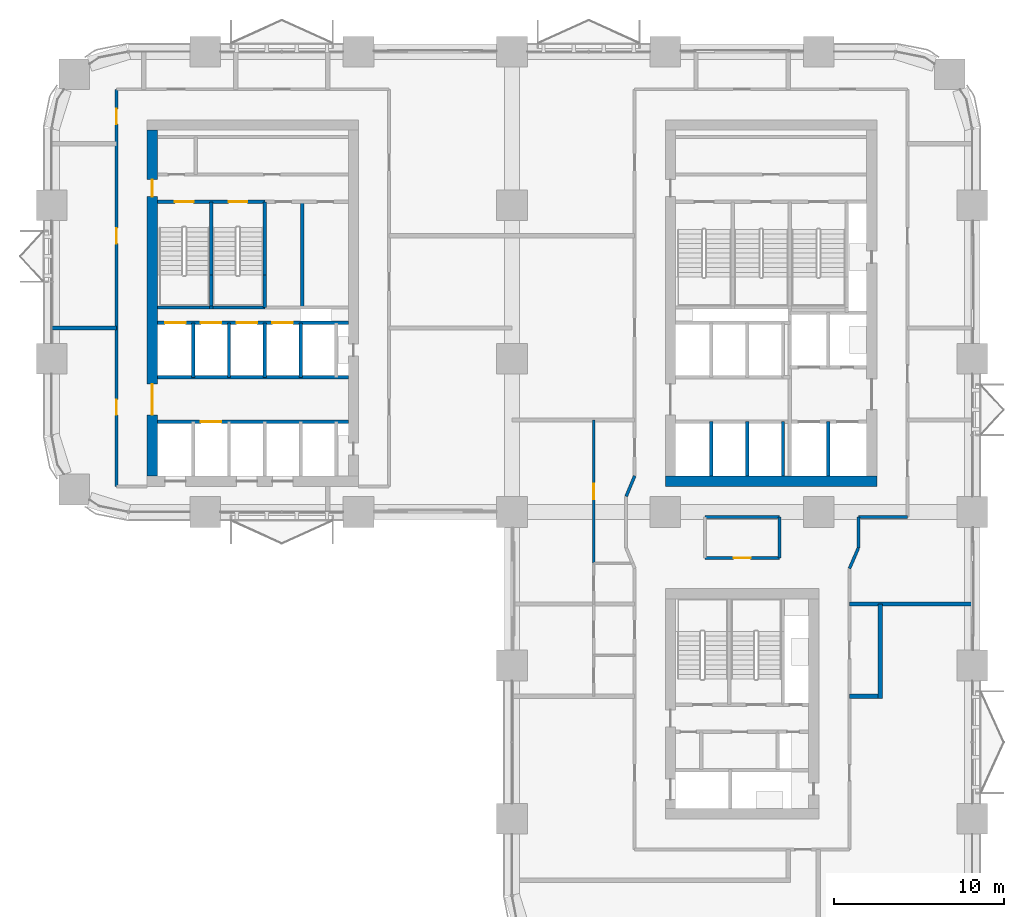
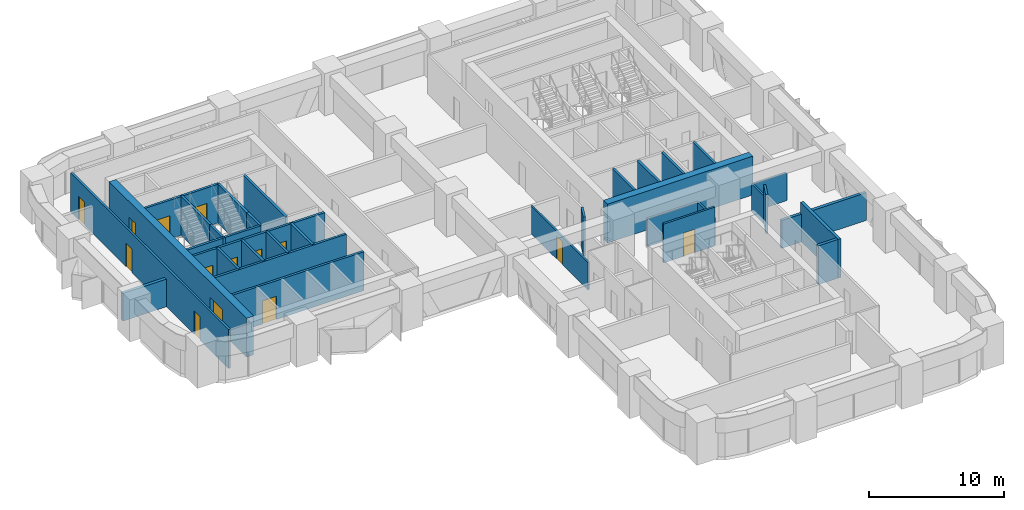
# One storey, part 13 of 18: 35 walls, 14 doors, 14 openings.
"""IFC4 building model written with IfcOpenShell, lengths in metres."""

from ifc_helpers import new_model, si_unit, direction, frame, frame_2d, origin, place, context, subcontext, project, spatial, rectangle, extrude, material, layer, layer_set, type_object, element, fill, save


model = new_model("IFC4")

# Units and contexts
model_context = context("Model", 3, precision=1e-05, world=origin(), true_north=direction((0.0, 1.0)))
body_context = subcontext(model_context, "Body", "Model", "MODEL_VIEW")
ifc_project = project(units=[si_unit("LENGTHUNIT", "METRE"), si_unit("AREAUNIT", "SQUARE_METRE"), si_unit("VOLUMEUNIT", "CUBIC_METRE"), si_unit("PLANEANGLEUNIT", "RADIAN"), si_unit("MASSUNIT", "GRAM", prefix="KILO")], contexts=[model_context])

# Site, building, storey
site_placement = place(None, origin())
site = spatial("IfcSite", under=ifc_project, at=site_placement, CompositionType="ELEMENT")
building_placement = place(site_placement, origin())
building = spatial("IfcBuilding", under=site, at=building_placement, Name="Tessera Arch", CompositionType="ELEMENT")
storey_placement = place(building_placement, frame((0.0, 0.0, 89.199951171875)))
storey = spatial("IfcBuildingStorey", under=building, at=storey_placement, Name="L20", CompositionType="ELEMENT", Elevation=89.199951171875)

# Walls
ifc_material_1 = material(Name="Gypsum board on steel stud", Category="steel")
ifc_layer_1 = layer(ifc_material_1, 0.125)
ifc_layer_set_1 = layer_set([ifc_layer_1], Name="Core partition 125 EI 60")
wall_type_1 = type_object("IfcWallType", Name="Core partition 125 EI 60", PredefinedType="PARTITIONING", material=ifc_layer_set_1)
wall_1_placement = place(storey_placement, frame((14.705078125, 39.0, 0.0), z_axis=(0.0, 0.0, 1.0), x_axis=(0.0, 1.0, 0.0)))
element("IfcWall", 1, at=wall_1_placement, inside=storey, type_object=wall_type_1, Name="L20 C2 partition wall 14", PredefinedType="PARTITIONING", context=body_context, shape_type="SweptSolid", body=[
    extrude(rectangle(XDim=6.199951171875, YDim=0.199951171875, at=frame_2d((3.10009765625, 0.0))), origin(), (0.0, 0.0, 1.0), 3.5),
])
ifc_material_2 = material(Name="Concrete C70/85", Category="concrete")
ifc_layer_2 = layer(ifc_material_2, 0.60009765625)
ifc_layer_set_2 = layer_set([ifc_layer_2], Name="Core shell wall 600 C70-85")
wall_type_2 = type_object("IfcWallType", Name="Core shell wall 600 C70-85", PredefinedType="SHEAR", material=ifc_layer_set_2)
wall_2_placement = place(storey_placement, frame((36.0, 28.800048828125, 0.0), z_axis=(0.0, 0.0, 1.0), x_axis=(1.0, 0.0, 0.0)))
element("IfcWall", 2, at=wall_2_placement, inside=storey, type_object=wall_type_2, Name="L20 C1 core wall S", PredefinedType="SHEAR", context=body_context, shape_type="SweptSolid", body=[
    extrude(rectangle(XDim=12.39990234375, YDim=0.60009765625, at=frame_2d((6.199951171875, 0.0))), origin(), (0.0, 0.0, 1.0), 3.5),
])

# Wall, openings, doors
wall_3_placement = place(storey_placement, frame((5.89990234375, 29.10009765625, 0.0), z_axis=(0.0, 0.0, 1.0), x_axis=(0.0, 1.0, 0.0)))
wall_3 = element("IfcWall", 3, at=wall_3_placement, inside=storey, type_object=wall_type_2, Name="L20 C2 core wall W", PredefinedType="SHEAR", context=body_context, shape_type="SweptSolid", body=[
    extrude(rectangle(XDim=20.2998046875, YDim=0.60009765625, at=frame_2d((10.14990234375, 0.0))), origin(), (0.0, 0.0, 1.0), 3.5),
])
opening_1_placement = place(wall_3_placement, frame((3.60009765625, 0.0, 0.0)))
opening_1 = element("IfcOpeningElement", 4, at=opening_1_placement, cuts=wall_3, Name="Opening L20-C23", PredefinedType="OPENING", context=body_context, shape_type="SweptSolid", body=[
    extrude(rectangle(XDim=1.800048828125, YDim=2.10009765625, at=frame_2d((0.89990234375, 1.050048828125))), frame((0.0, 0.31005859375, 0.0), z_axis=(0.0, -1.0, 0.0), x_axis=(1.0, 0.0, 0.0)), (0.0, 0.0, 1.0), 0.6201171875),
])
opening_2_placement = place(wall_3_placement, frame((16.39990234375, 0.0, 0.0)))
opening_2 = element("IfcOpeningElement", 5, at=opening_2_placement, cuts=wall_3, Name="Opening L20-C26", PredefinedType="OPENING", context=body_context, shape_type="SweptSolid", body=[
    extrude(rectangle(XDim=1.0, YDim=2.10009765625, at=frame_2d((0.5, 1.050048828125))), frame((0.0, 0.31005859375, 0.0), z_axis=(0.0, -1.0, 0.0), x_axis=(1.0, 0.0, 0.0)), (0.0, 0.0, 1.0), 0.6201171875),
])
ifc_material_3 = material(Name="Steel door leaf", Category="steel")
door_type_1 = type_object("IfcDoorType", Name="Corridor door FD60 1000 x 2100", OperationType="SINGLE_SWING_LEFT", PredefinedType="DOOR", material=ifc_material_3)
door_1_placement = place(opening_2_placement, origin())
door_1 = element("IfcDoor", 6, at=door_1_placement, inside=storey, type_object=door_type_1, Name="L20 C2 door 14 C26 type D12", OperationType="SINGLE_SWING_RIGHT", OverallHeight=2.10009765625, OverallWidth=1.0, PredefinedType="DOOR", context=body_context, shape_type="SweptSolid", body=[
    extrude(rectangle(XDim=1.0, YDim=2.10009765625, at=frame_2d((0.5, 1.050048828125))), frame((0.0, 0.02490234375, 0.0), z_axis=(0.0, -1.0, 0.0), x_axis=(1.0, 0.0, 0.0)), (0.0, 0.0, 1.0), 0.050048828125),
])
fill(opening_2, door_1)
ifc_material_4 = material(Name="Glazed steel door leaf", Category="steel")
door_type_2 = type_object("IfcDoorType", Name="Lobby double door FD30S 1800 x 2100", OperationType="DOUBLE_DOOR_SINGLE_SWING", PredefinedType="DOOR", material=ifc_material_4)
door_2_placement = place(opening_1_placement, origin())
door_2 = element("IfcDoor", 7, at=door_2_placement, inside=storey, type_object=door_type_2, Name="L20 C2 door 11 C23 type D06", OperationType="DOUBLE_DOOR_SINGLE_SWING", OverallHeight=2.10009765625, OverallWidth=1.800048828125, PredefinedType="DOOR", context=body_context, shape_type="SweptSolid", body=[
    extrude(rectangle(XDim=1.800048828125, YDim=2.10009765625, at=frame_2d((0.89990234375, 1.050048828125))), frame((0.0, 0.02490234375, 0.0), z_axis=(0.0, -1.0, 0.0), x_axis=(1.0, 0.0, 0.0)), (0.0, 0.0, 1.0), 0.050048828125),
])
fill(opening_1, door_2)

# Wall, opening, door
ifc_material_5 = material(Name="Gypsum board on deep steel stud with mineral wool", Category="steel")
ifc_layer_3 = layer(ifc_material_5, 0.175048828125)
ifc_layer_set_3 = layer_set([ifc_layer_3], Name="Corridor wall 175 EI 60")
wall_type_3 = type_object("IfcWallType", Name="Corridor wall 175 EI 60", PredefinedType="PARTITIONING", material=ifc_layer_set_3)
wall_4_placement = place(storey_placement, frame((38.320068359375, 24.300048828125, 0.0), z_axis=(0.0, 0.0, 1.0), x_axis=(1.0, 0.0, 0.0)))
wall_4 = element("IfcWall", 8, at=wall_4_placement, inside=storey, type_object=wall_type_3, Name="L20 partition 2", PredefinedType="PARTITIONING", context=body_context, shape_type="SweptSolid", body=[
    extrude(rectangle(XDim=4.35986328125, YDim=0.175048828125, at=frame_2d((2.179931640625, 0.0))), origin(), (0.0, 0.0, 1.0), 3.5),
])
opening_3_placement = place(wall_4_placement, frame((1.679931640625, 0.0, 0.0)))
opening_3 = element("IfcOpeningElement", 9, at=opening_3_placement, cuts=wall_4, Name="Opening L20-D008", PredefinedType="OPENING", context=body_context, shape_type="SweptSolid", body=[
    extrude(rectangle(XDim=1.0, YDim=2.10009765625, at=frame_2d((0.5, 1.050048828125))), frame((0.0, 0.097412109375, 0.0), z_axis=(0.0, -1.0, 0.0), x_axis=(1.0, 0.0, 0.0)), (0.0, 0.0, 1.0), 0.195068359375),
])
ifc_material_6 = material(Name="Fire-rated door leaf")
door_type_3 = type_object("IfcDoorType", Name="Entrance door FD30S 1000 x 2100", OperationType="SINGLE_SWING_LEFT", PredefinedType="DOOR", material=ifc_material_6)
door_3_placement = place(opening_3_placement, origin())
door_3 = element("IfcDoor", 10, at=door_3_placement, inside=storey, type_object=door_type_3, Name="L20 door D008 type D03", OperationType="SINGLE_SWING_RIGHT", OverallHeight=2.10009765625, OverallWidth=1.0, PredefinedType="DOOR", context=body_context, shape_type="SweptSolid", body=[
    extrude(rectangle(XDim=1.0, YDim=2.10009765625, at=frame_2d((0.5, 1.050048828125))), frame((0.0, 0.02490234375, 0.0), z_axis=(0.0, -1.0, 0.0), x_axis=(1.0, 0.0, 0.0)), (0.0, 0.0, 1.0), 0.050048828125),
])
fill(opening_3, door_3)

# Walls
wall_5_placement = place(storey_placement, frame((38.320068359375, 26.699951171875, 0.0), z_axis=(0.0, 0.0, 1.0), x_axis=(1.0, 0.0, 0.0)))
element("IfcWall", 11, at=wall_5_placement, inside=storey, type_object=wall_type_3, Name="L20 partition 3", PredefinedType="PARTITIONING", context=body_context, shape_type="SweptSolid", body=[
    extrude(rectangle(XDim=4.35986328125, YDim=0.175048828125, at=frame_2d((2.179931640625, 0.0))), origin(), (0.0, 0.0, 1.0), 2.5),
])
wall_6_placement = place(storey_placement, frame((47.320068359375, 26.699951171875, 0.0), z_axis=(0.0, 0.0, 1.0), x_axis=(1.0, 0.0, 0.0)))
element("IfcWall", 12, at=wall_6_placement, inside=storey, type_object=wall_type_3, Name="L20 partition 4", PredefinedType="PARTITIONING", context=body_context, shape_type="SweptSolid", body=[
    extrude(rectangle(XDim=2.8798828125, YDim=0.175048828125, at=frame_2d((1.43994140625, 0.0))), origin(), (0.0, 0.0, 1.0), 2.5),
])

# Wall, openings, doors
wall_7_placement = place(storey_placement, frame((3.800048828125, 28.5, 0.0), z_axis=(0.0, 0.0, 1.0), x_axis=(0.0, 1.0, 0.0)))
wall_7 = element("IfcWall", 13, at=wall_7_placement, inside=storey, type_object=wall_type_3, Name="L20 partition 9", PredefinedType="PARTITIONING", context=body_context, shape_type="SweptSolid", body=[
    extrude(rectangle(XDim=23.300048828125, YDim=0.175048828125, at=frame_2d((11.64990234375, 0.0))), origin(), (0.0, 0.0, 1.0), 3.5),
])
opening_4_placement = place(wall_7_placement, frame((4.199951171875, 0.0, 0.0)))
opening_4 = element("IfcOpeningElement", 14, at=opening_4_placement, cuts=wall_7, Name="Opening L20-D013", PredefinedType="OPENING", context=body_context, shape_type="SweptSolid", body=[
    extrude(rectangle(XDim=0.89990234375, YDim=2.10009765625, at=frame_2d((0.449951171875, 1.050048828125))), frame((0.0, 0.097412109375, 0.0), z_axis=(0.0, -1.0, 0.0), x_axis=(1.0, 0.0, 0.0)), (0.0, 0.0, 1.0), 0.195068359375),
])
opening_5_placement = place(wall_7_placement, frame((14.25, 0.0, 0.0)))
opening_5 = element("IfcOpeningElement", 15, at=opening_5_placement, cuts=wall_7, Name="Opening L20-D018", PredefinedType="OPENING", context=body_context, shape_type="SweptSolid", body=[
    extrude(rectangle(XDim=0.89990234375, YDim=2.10009765625, at=frame_2d((0.449951171875, 1.050048828125))), frame((0.0, 0.097412109375, 0.0), z_axis=(0.0, -1.0, 0.0), x_axis=(1.0, 0.0, 0.0)), (0.0, 0.0, 1.0), 0.195068359375),
])
opening_6_placement = place(wall_7_placement, frame((21.25, 0.0, 0.0)))
opening_6 = element("IfcOpeningElement", 16, at=opening_6_placement, cuts=wall_7, Name="Opening L20-D022", PredefinedType="OPENING", context=body_context, shape_type="SweptSolid", body=[
    extrude(rectangle(XDim=0.89990234375, YDim=2.10009765625, at=frame_2d((0.449951171875, 1.050048828125))), frame((0.0, 0.097412109375, 0.0), z_axis=(0.0, -1.0, 0.0), x_axis=(1.0, 0.0, 0.0)), (0.0, 0.0, 1.0), 0.195068359375),
])
ifc_material_7 = material(Name="Timber door leaf", Category="wood")
door_type_4 = type_object("IfcDoorType", Name="Room door 900 x 2100", OperationType="SINGLE_SWING_LEFT", PredefinedType="DOOR", material=ifc_material_7)
door_4_placement = place(opening_4_placement, origin())
door_4 = element("IfcDoor", 17, at=door_4_placement, inside=storey, type_object=door_type_4, Name="L20 door D013 type D01", OperationType="SINGLE_SWING_LEFT", OverallHeight=2.10009765625, OverallWidth=0.89990234375, PredefinedType="DOOR", context=body_context, shape_type="SweptSolid", body=[
    extrude(rectangle(XDim=0.89990234375, YDim=2.10009765625, at=frame_2d((0.449951171875, 1.050048828125))), frame((0.0, 0.02490234375, 0.0), z_axis=(0.0, -1.0, 0.0), x_axis=(1.0, 0.0, 0.0)), (0.0, 0.0, 1.0), 0.050048828125),
])
fill(opening_4, door_4)
door_5_placement = place(opening_5_placement, origin())
door_5 = element("IfcDoor", 18, at=door_5_placement, inside=storey, type_object=door_type_4, Name="L20 door D018 type D01", OperationType="SINGLE_SWING_RIGHT", OverallHeight=2.10009765625, OverallWidth=0.89990234375, PredefinedType="DOOR", context=body_context, shape_type="SweptSolid", body=[
    extrude(rectangle(XDim=0.89990234375, YDim=2.10009765625, at=frame_2d((0.449951171875, 1.050048828125))), frame((0.0, 0.02490234375, 0.0), z_axis=(0.0, -1.0, 0.0), x_axis=(1.0, 0.0, 0.0)), (0.0, 0.0, 1.0), 0.050048828125),
])
fill(opening_5, door_5)
door_6_placement = place(opening_6_placement, origin())
door_6 = element("IfcDoor", 19, at=door_6_placement, inside=storey, type_object=door_type_4, Name="L20 door D022 type D01", OperationType="SINGLE_SWING_RIGHT", OverallHeight=2.10009765625, OverallWidth=0.89990234375, PredefinedType="DOOR", context=body_context, shape_type="SweptSolid", body=[
    extrude(rectangle(XDim=0.89990234375, YDim=2.10009765625, at=frame_2d((0.449951171875, 1.050048828125))), frame((0.0, 0.02490234375, 0.0), z_axis=(0.0, -1.0, 0.0), x_axis=(1.0, 0.0, 0.0)), (0.0, 0.0, 1.0), 0.050048828125),
])
fill(opening_6, door_6)

# Walls
wall_8_placement = place(storey_placement, frame((42.679931640625, 24.300048828125, 0.0), z_axis=(0.0, 0.0, 1.0), x_axis=(0.0, 1.0, 0.0)))
element("IfcWall", 20, at=wall_8_placement, inside=storey, type_object=wall_type_3, Name="L20 partition 15", PredefinedType="PARTITIONING", context=body_context, shape_type="SweptSolid", body=[
    extrude(rectangle(XDim=2.39990234375, YDim=0.175048828125, at=frame_2d((1.199951171875, 0.0))), origin(), (0.0, 0.0, 1.0), 2.5),
])
wall_9_placement = place(storey_placement, frame((47.320068359375, 24.889892578125, 0.0), z_axis=(0.0, 0.0, 1.0), x_axis=(0.0, 1.0, 0.0)))
element("IfcWall", 21, at=wall_9_placement, inside=storey, type_object=wall_type_3, Name="L20 partition 17", PredefinedType="PARTITIONING", context=body_context, shape_type="SweptSolid", body=[
    extrude(rectangle(XDim=1.81005859375, YDim=0.175048828125, at=frame_2d((0.905029296875, 0.0))), origin(), (0.0, 0.0, 1.0), 2.5),
])
wall_10_placement = place(storey_placement, frame((47.320068359375, 24.889892578125, 0.0), z_axis=(0.0, 0.0, 1.0), x_axis=(-0.397633632391, -0.917544273804, 0.0)))
element("IfcWall", 22, at=wall_10_placement, inside=storey, type_object=wall_type_3, Name="L20 partition 48", PredefinedType="PARTITIONING", context=body_context, shape_type="SweptSolid", body=[
    extrude(rectangle(XDim=1.307861328125, YDim=0.175048828125, at=frame_2d((0.65380859375, 0.0))), origin(), (0.0, 0.0, 1.0), 3.5),
])
wall_11_placement = place(storey_placement, frame((33.699951171875, 27.919921875, 0.0), z_axis=(0.0, 0.0, 1.0), x_axis=(0.384562051588, 0.923099143363, 0.0)))
element("IfcWall", 23, at=wall_11_placement, inside=storey, type_object=wall_type_3, Name="L20 partition 50", PredefinedType="PARTITIONING", context=body_context, shape_type="SweptSolid", body=[
    extrude(rectangle(XDim=1.30029296875, YDim=0.175048828125, at=frame_2d((0.650146484375, 0.0))), origin(), (0.0, 0.0, 1.0), 3.5),
])

# Wall, opening, door
ifc_material_8 = material(Name="Gypsum board on steel stud", Category="steel")
ifc_layer_4 = layer(ifc_material_8, 0.14990234375)
ifc_layer_set_4 = layer_set([ifc_layer_4], Name="Partition 150")
wall_type_4 = type_object("IfcWallType", Name="Partition 150", PredefinedType="PARTITIONING", material=ifc_layer_set_4)
wall_12_placement = place(storey_placement, frame((31.800048828125, 24.0, 0.0), z_axis=(0.0, 0.0, 1.0), x_axis=(0.0, 1.0, 0.0)))
wall_12 = element("IfcWall", 24, at=wall_12_placement, inside=storey, type_object=wall_type_4, Name="L20 partition 20", PredefinedType="PARTITIONING", context=body_context, shape_type="SweptSolid", body=[
    extrude(rectangle(XDim=8.39990234375, YDim=0.14990234375, at=frame_2d((4.199951171875, 0.0))), origin(), (0.0, 0.0, 1.0), 2.5),
])
opening_7_placement = place(wall_12_placement, frame((3.75, 0.0, 0.0)))
opening_7 = element("IfcOpeningElement", 25, at=opening_7_placement, cuts=wall_12, Name="Opening L20-D011", PredefinedType="OPENING", context=body_context, shape_type="SweptSolid", body=[
    extrude(rectangle(XDim=0.89990234375, YDim=2.10009765625, at=frame_2d((0.449951171875, 1.050048828125))), frame((0.0, 0.0849609375, 0.0), z_axis=(0.0, -1.0, 0.0), x_axis=(1.0, 0.0, 0.0)), (0.0, 0.0, 1.0), 0.169921875),
])
door_7_placement = place(opening_7_placement, origin())
door_7 = element("IfcDoor", 26, at=door_7_placement, inside=storey, type_object=door_type_4, Name="L20 door D011 type D01", OperationType="SINGLE_SWING_LEFT", OverallHeight=2.10009765625, OverallWidth=0.89990234375, PredefinedType="DOOR", context=body_context, shape_type="SweptSolid", body=[
    extrude(rectangle(XDim=0.89990234375, YDim=2.10009765625, at=frame_2d((0.449951171875, 1.050048828125))), frame((0.0, 0.02490234375, 0.0), z_axis=(0.0, -1.0, 0.0), x_axis=(1.0, 0.0, 0.0)), (0.0, 0.0, 1.0), 0.050048828125),
])
fill(opening_7, door_7)

# Walls
ifc_material_9 = material(Name="Double gypsum board on twin steel stud with acoustic mineral wool", Category="steel")
ifc_layer_5 = layer(ifc_material_9, 0.25)
ifc_layer_set_5 = layer_set([ifc_layer_5], Name="Party wall 250 EI 60")
wall_type_5 = type_object("IfcWallType", Name="Party wall 250 EI 60", PredefinedType="PARTITIONING", material=ifc_layer_set_5)
wall_13_placement = place(storey_placement, frame((46.800048828125, 16.199951171875, 0.0), z_axis=(0.0, 0.0, 1.0), x_axis=(1.0, 0.0, 0.0)))
element("IfcWall", 27, at=wall_13_placement, inside=storey, type_object=wall_type_5, Name="L20 partition 23", PredefinedType="PARTITIONING", context=body_context, shape_type="SweptSolid", body=[
    extrude(rectangle(XDim=1.675048828125, YDim=0.25, at=frame_2d((0.83740234375, 0.0))), origin(), (0.0, 0.0, 1.0), 3.5),
])
wall_14_placement = place(storey_placement, frame((46.800048828125, 21.60009765625, 0.0), z_axis=(0.0, 0.0, 1.0), x_axis=(1.0, 0.0, 0.0)))
element("IfcWall", 28, at=wall_14_placement, inside=storey, type_object=wall_type_5, Name="L20 partition 25", PredefinedType="PARTITIONING", context=body_context, shape_type="SweptSolid", body=[
    extrude(rectangle(XDim=7.199951171875, YDim=0.25, at=frame_2d((3.60009765625, 0.0))), origin(), (0.0, 0.0, 1.0), 2.5),
])
wall_15_placement = place(storey_placement, frame((0.0, 37.800048828125, 0.0), z_axis=(0.0, 0.0, 1.0), x_axis=(1.0, 0.0, 0.0)))
element("IfcWall", 29, at=wall_15_placement, inside=storey, type_object=wall_type_5, Name="L20 partition 28", PredefinedType="PARTITIONING", context=body_context, shape_type="SweptSolid", body=[
    extrude(rectangle(XDim=3.800048828125, YDim=0.25, at=frame_2d((1.89990234375, 0.0))), origin(), (0.0, 0.0, 1.0), 2.5),
])
wall_16_placement = place(storey_placement, frame((48.60009765625, 16.074951171875, 0.0), z_axis=(0.0, 0.0, 1.0), x_axis=(0.0, 1.0, 0.0)))
element("IfcWall", 30, at=wall_16_placement, inside=storey, type_object=wall_type_5, Name="L20 partition 43", PredefinedType="PARTITIONING", context=body_context, shape_type="SweptSolid", body=[
    extrude(rectangle(XDim=5.525146484375, YDim=0.25, at=frame_2d((2.7626953125, 0.0))), origin(), (0.0, 0.0, 1.0), 3.5),
])
ifc_material_10 = material(Name="Concrete C40/50", Category="concrete")
ifc_layer_6 = layer(ifc_material_10, 0.199951171875)
ifc_layer_set_6 = layer_set([ifc_layer_6], Name="Shaft wall 200 EI 120")
wall_type_6 = type_object("IfcWallType", Name="Shaft wall 200 EI 120", PredefinedType="SOLIDWALL", material=ifc_layer_set_6)
for number, where, z_axis, x_axis, name in (
    (31, (38.699951171875, 29.10009765625, 0.0), (0.0, 0.0, 1.0), (0.0, 1.0, 0.0), "L20 C1 shaft wall 1"),
    (32, (40.800048828125, 29.10009765625, 0.0), (0.0, 0.0, 1.0), (0.0, 1.0, 0.0), "L20 C1 shaft wall 5"),
    (33, (42.89990234375, 29.10009765625, 0.0), (0.0, 0.0, 1.0), (0.0, 1.0, 0.0), "L20 C1 shaft wall 7"),
    (34, (45.550048828125, 29.10009765625, 0.0), (0.0, 0.0, 1.0), (0.0, 1.0, 0.0), "L20 C1 shaft wall 12"),
):
    element("IfcWall", number, at=place(storey_placement, frame(where, z_axis=z_axis, x_axis=x_axis)), inside=storey, type_object=wall_type_6, Name=name, PredefinedType="SOLIDWALL", context=body_context, shape_type="SweptSolid", body=[
        extrude(rectangle(XDim=3.199951171875, YDim=0.199951171875, at=frame_2d((1.60009765625, 0.0))), origin(), (0.0, 0.0, 1.0), 3.5),
    ])
for number, where, z_axis, x_axis, name in (
    (35, (8.300048828125, 34.89990234375, 0.0), (0.0, 0.0, 1.0), (0.0, 1.0, 0.0), "L20 C2 shaft wall 2"),
    (36, (10.39990234375, 34.89990234375, 0.0), (0.0, 0.0, 1.0), (0.0, 1.0, 0.0), "L20 C2 shaft wall 7"),
    (37, (12.5, 34.89990234375, 0.0), (0.0, 0.0, 1.0), (0.0, 1.0, 0.0), "L20 C2 shaft wall 9"),
    (38, (14.60009765625, 34.89990234375, 0.0), (0.0, 0.0, 1.0), (0.0, 1.0, 0.0), "L20 C2 shaft wall 13"),
):
    element("IfcWall", number, at=place(storey_placement, frame(where, z_axis=z_axis, x_axis=x_axis)), inside=storey, type_object=wall_type_6, Name=name, PredefinedType="SOLIDWALL", context=body_context, shape_type="SweptSolid", body=[
        extrude(rectangle(XDim=3.2001953125, YDim=0.199951171875, at=frame_2d((1.60009765625, 0.0))), origin(), (0.0, 0.0, 1.0), 3.5),
    ])

# Wall, opening, door
wall_17_placement = place(storey_placement, frame((6.199951171875, 32.300048828125, 0.0), z_axis=(0.0, 0.0, 1.0), x_axis=(1.0, 0.0, 0.0)))
wall_17 = element("IfcWall", 39, at=wall_17_placement, inside=storey, type_object=wall_type_6, Name="L20 C2 shaft wall 17", PredefinedType="SOLIDWALL", context=body_context, shape_type="SweptSolid", body=[
    extrude(rectangle(XDim=11.199951171875, YDim=0.199951171875, at=frame_2d((5.60009765625, 0.0))), origin(), (0.0, 0.0, 1.0), 3.5),
])
opening_8_placement = place(wall_17_placement, frame((2.550048828125, 0.0, 0.0)))
opening_8 = element("IfcOpeningElement", 40, at=opening_8_placement, cuts=wall_17, Name="Opening L20-C14", PredefinedType="OPENING", context=body_context, shape_type="SweptSolid", body=[
    extrude(rectangle(XDim=1.199951171875, YDim=2.10009765625, at=frame_2d((0.60009765625, 1.050048828125))), frame((0.0, 0.10986328125, 0.0), z_axis=(0.0, -1.0, 0.0), x_axis=(1.0, 0.0, 0.0)), (0.0, 0.0, 1.0), 0.219970703125),
])
ifc_material_11 = material(Name="Stainless steel AISI 304", Category="steel")
door_type_5 = type_object("IfcDoorType", Name="Sliding landing door 1200 x 2100", OperationType="SLIDING_TO_LEFT", PredefinedType="DOOR", material=ifc_material_11)
door_8_placement = place(opening_8_placement, origin())
door_8 = element("IfcDoor", 41, at=door_8_placement, inside=storey, type_object=door_type_5, Name="L20 LR2 lift landing door C14 type LD", OperationType="SLIDING_TO_LEFT", OverallHeight=2.10009765625, OverallWidth=1.199951171875, PredefinedType="DOOR", context=body_context, shape_type="SweptSolid", body=[
    extrude(rectangle(XDim=1.199951171875, YDim=2.10009765625, at=frame_2d((0.60009765625, 1.050048828125))), frame((0.0, 0.02490234375, 0.0), z_axis=(0.0, -1.0, 0.0), x_axis=(1.0, 0.0, 0.0)), (0.0, 0.0, 1.0), 0.050048828125),
])
fill(opening_8, door_8)

# Wall
wall_18_placement = place(storey_placement, frame((6.199951171875, 34.89990234375, 0.0), z_axis=(0.0, 0.0, 1.0), x_axis=(1.0, 0.0, 0.0)))
element("IfcWall", 42, at=wall_18_placement, inside=storey, type_object=wall_type_6, Name="L20 C2 shaft wall 18", PredefinedType="SOLIDWALL", context=body_context, shape_type="SweptSolid", body=[
    extrude(rectangle(XDim=11.199951171875, YDim=0.199951171875, at=frame_2d((5.60009765625, 0.0))), origin(), (0.0, 0.0, 1.0), 3.5),
])

# Wall, openings, doors
wall_19_placement = place(storey_placement, frame((6.199951171875, 38.10009765625, 0.0), z_axis=(0.0, 0.0, 1.0), x_axis=(1.0, 0.0, 0.0)))
wall_19 = element("IfcWall", 43, at=wall_19_placement, inside=storey, type_object=wall_type_6, Name="L20 C2 shaft wall 19", PredefinedType="SOLIDWALL", context=body_context, shape_type="SweptSolid", body=[
    extrude(rectangle(XDim=11.199951171875, YDim=0.199951171875, at=frame_2d((5.60009765625, 0.0))), origin(), (0.0, 0.0, 1.0), 3.5),
])
opening_9_placement = place(wall_19_placement, frame((0.449951171875, 0.0, 0.0)))
opening_9 = element("IfcOpeningElement", 44, at=opening_9_placement, cuts=wall_19, Name="Opening L20-C17", PredefinedType="OPENING", context=body_context, shape_type="SweptSolid", body=[
    extrude(rectangle(XDim=1.199951171875, YDim=2.10009765625, at=frame_2d((0.60009765625, 1.050048828125))), frame((0.0, 0.10986328125, 0.0), z_axis=(0.0, -1.0, 0.0), x_axis=(1.0, 0.0, 0.0)), (0.0, 0.0, 1.0), 0.219970703125),
])
opening_10_placement = place(wall_19_placement, frame((2.550048828125, 0.0, 0.0)))
opening_10 = element("IfcOpeningElement", 45, at=opening_10_placement, cuts=wall_19, Name="Opening L20-C18", PredefinedType="OPENING", context=body_context, shape_type="SweptSolid", body=[
    extrude(rectangle(XDim=1.199951171875, YDim=2.10009765625, at=frame_2d((0.60009765625, 1.050048828125))), frame((0.0, 0.10986328125, 0.0), z_axis=(0.0, -1.0, 0.0), x_axis=(1.0, 0.0, 0.0)), (0.0, 0.0, 1.0), 0.219970703125),
])
opening_11_placement = place(wall_19_placement, frame((4.64990234375, 0.0, 0.0)))
opening_11 = element("IfcOpeningElement", 46, at=opening_11_placement, cuts=wall_19, Name="Opening L20-C19", PredefinedType="OPENING", context=body_context, shape_type="SweptSolid", body=[
    extrude(rectangle(XDim=1.199951171875, YDim=2.10009765625, at=frame_2d((0.60009765625, 1.050048828125))), frame((0.0, 0.10986328125, 0.0), z_axis=(0.0, -1.0, 0.0), x_axis=(1.0, 0.0, 0.0)), (0.0, 0.0, 1.0), 0.219970703125),
])
opening_12_placement = place(wall_19_placement, frame((6.75, 0.0, 0.0)))
opening_12 = element("IfcOpeningElement", 47, at=opening_12_placement, cuts=wall_19, Name="Opening L20-C20", PredefinedType="OPENING", context=body_context, shape_type="SweptSolid", body=[
    extrude(rectangle(XDim=1.199951171875, YDim=2.10009765625, at=frame_2d((0.60009765625, 1.050048828125))), frame((0.0, 0.10986328125, 0.0), z_axis=(0.0, -1.0, 0.0), x_axis=(1.0, 0.0, 0.0)), (0.0, 0.0, 1.0), 0.219970703125),
])
door_9_placement = place(opening_9_placement, origin())
door_9 = element("IfcDoor", 48, at=door_9_placement, inside=storey, type_object=door_type_5, Name="L20 LR5 lift landing door C17 type LD", OperationType="SLIDING_TO_LEFT", OverallHeight=2.10009765625, OverallWidth=1.199951171875, PredefinedType="DOOR", context=body_context, shape_type="SweptSolid", body=[
    extrude(rectangle(XDim=1.199951171875, YDim=2.10009765625, at=frame_2d((0.60009765625, 1.050048828125))), frame((0.0, 0.02490234375, 0.0), z_axis=(0.0, -1.0, 0.0), x_axis=(1.0, 0.0, 0.0)), (0.0, 0.0, 1.0), 0.050048828125),
])
fill(opening_9, door_9)
door_10_placement = place(opening_10_placement, origin())
door_10 = element("IfcDoor", 49, at=door_10_placement, inside=storey, type_object=door_type_5, Name="L20 LR6 lift landing door C18 type LD", OperationType="SLIDING_TO_LEFT", OverallHeight=2.10009765625, OverallWidth=1.199951171875, PredefinedType="DOOR", context=body_context, shape_type="SweptSolid", body=[
    extrude(rectangle(XDim=1.199951171875, YDim=2.10009765625, at=frame_2d((0.60009765625, 1.050048828125))), frame((0.0, 0.02490234375, 0.0), z_axis=(0.0, -1.0, 0.0), x_axis=(1.0, 0.0, 0.0)), (0.0, 0.0, 1.0), 0.050048828125),
])
fill(opening_10, door_10)
door_11_placement = place(opening_11_placement, origin())
door_11 = element("IfcDoor", 50, at=door_11_placement, inside=storey, type_object=door_type_5, Name="L20 LR7 lift landing door C19 type LD", OperationType="SLIDING_TO_LEFT", OverallHeight=2.10009765625, OverallWidth=1.199951171875, PredefinedType="DOOR", context=body_context, shape_type="SweptSolid", body=[
    extrude(rectangle(XDim=1.199951171875, YDim=2.10009765625, at=frame_2d((0.60009765625, 1.050048828125))), frame((0.0, 0.02490234375, 0.0), z_axis=(0.0, -1.0, 0.0), x_axis=(1.0, 0.0, 0.0)), (0.0, 0.0, 1.0), 0.050048828125),
])
fill(opening_11, door_11)
door_12_placement = place(opening_12_placement, origin())
door_12 = element("IfcDoor", 51, at=door_12_placement, inside=storey, type_object=door_type_5, Name="L20 LR8 lift landing door C20 type LD", OperationType="SLIDING_TO_LEFT", OverallHeight=2.10009765625, OverallWidth=1.199951171875, PredefinedType="DOOR", context=body_context, shape_type="SweptSolid", body=[
    extrude(rectangle(XDim=1.199951171875, YDim=2.10009765625, at=frame_2d((0.60009765625, 1.050048828125))), frame((0.0, 0.02490234375, 0.0), z_axis=(0.0, -1.0, 0.0), x_axis=(1.0, 0.0, 0.0)), (0.0, 0.0, 1.0), 0.050048828125),
])
fill(opening_12, door_12)

# Walls
ifc_material_12 = material(Name="Concrete C40/50", Category="concrete")
ifc_layer_7 = layer(ifc_material_12, 0.199951171875)
ifc_layer_set_7 = layer_set([ifc_layer_7], Name="Stair well wall 200 REI 180")
wall_type_7 = type_object("IfcWallType", Name="Stair well wall 200 REI 180", PredefinedType="SOLIDWALL", material=ifc_layer_set_7)
wall_20_placement = place(storey_placement, frame((9.35009765625, 39.0, 0.0), z_axis=(0.0, 0.0, 1.0), x_axis=(0.0, 1.0, 0.0)))
element("IfcWall", 52, at=wall_20_placement, inside=storey, type_object=wall_type_7, Name="L20 C2 shaft wall 4", PredefinedType="SOLIDWALL", context=body_context, shape_type="SweptSolid", body=[
    extrude(rectangle(XDim=1.89990234375, YDim=0.199951171875, at=frame_2d((0.949951171875, 0.0))), origin(), (0.0, 0.0, 1.0), 3.5),
])
wall_21_placement = place(storey_placement, frame((9.35009765625, 40.89990234375, 0.0), z_axis=(0.0, 0.0, 1.0), x_axis=(0.0, 1.0, 0.0)))
element("IfcWall", 53, at=wall_21_placement, inside=storey, type_object=wall_type_7, Name="L20 C2 shaft wall 5", PredefinedType="SOLIDWALL", context=body_context, shape_type="SweptSolid", body=[
    extrude(rectangle(XDim=4.300048828125, YDim=0.199951171875, at=frame_2d((2.14990234375, 0.0))), origin(), (0.0, 0.0, 1.0), 3.5),
])
wall_22_placement = place(storey_placement, frame((12.5, 39.0, 0.0), z_axis=(0.0, 0.0, 1.0), x_axis=(0.0, 1.0, 0.0)))
element("IfcWall", 54, at=wall_22_placement, inside=storey, type_object=wall_type_7, Name="L20 C2 shaft wall 10", PredefinedType="SOLIDWALL", context=body_context, shape_type="SweptSolid", body=[
    extrude(rectangle(XDim=1.89990234375, YDim=0.199951171875, at=frame_2d((0.949951171875, 0.0))), origin(), (0.0, 0.0, 1.0), 3.5),
])
wall_23_placement = place(storey_placement, frame((12.5, 40.89990234375, 0.0), z_axis=(0.0, 0.0, 1.0), x_axis=(0.0, 1.0, 0.0)))
element("IfcWall", 55, at=wall_23_placement, inside=storey, type_object=wall_type_7, Name="L20 C2 shaft wall 11", PredefinedType="SOLIDWALL", context=body_context, shape_type="SweptSolid", body=[
    extrude(rectangle(XDim=4.300048828125, YDim=0.199951171875, at=frame_2d((2.14990234375, 0.0))), origin(), (0.0, 0.0, 1.0), 3.5),
])
wall_24_placement = place(storey_placement, frame((6.199951171875, 39.0, 0.0), z_axis=(0.0, 0.0, 1.0), x_axis=(1.0, 0.0, 0.0)))
element("IfcWall", 56, at=wall_24_placement, inside=storey, type_object=wall_type_7, Name="L20 C2 shaft wall 21", PredefinedType="SOLIDWALL", context=body_context, shape_type="SweptSolid", body=[
    extrude(rectangle(XDim=3.050048828125, YDim=0.199951171875, at=frame_2d((1.52490234375, 0.0))), origin(), (0.0, 0.0, 1.0), 3.5),
])
wall_25_placement = place(storey_placement, frame((9.25, 39.0, 0.0), z_axis=(0.0, 0.0, 1.0), x_axis=(1.0, 0.0, 0.0)))
element("IfcWall", 57, at=wall_25_placement, inside=storey, type_object=wall_type_7, Name="L20 C2 shaft wall 22", PredefinedType="SOLIDWALL", context=body_context, shape_type="SweptSolid", body=[
    extrude(rectangle(XDim=0.199951171875, YDim=0.199951171875, at=frame_2d((0.10009765625, 0.0))), origin(), (0.0, 0.0, 1.0), 3.5),
])
wall_26_placement = place(storey_placement, frame((9.449951171875, 39.0, 0.0), z_axis=(0.0, 0.0, 1.0), x_axis=(1.0, 0.0, 0.0)))
element("IfcWall", 58, at=wall_26_placement, inside=storey, type_object=wall_type_7, Name="L20 C2 shaft wall 23", PredefinedType="SOLIDWALL", context=body_context, shape_type="SweptSolid", body=[
    extrude(rectangle(XDim=3.050048828125, YDim=0.199951171875, at=frame_2d((1.52490234375, 0.0))), origin(), (0.0, 0.0, 1.0), 3.5),
])

# Wall, openings, doors
wall_27_placement = place(storey_placement, frame((6.199951171875, 45.199951171875, 0.0), z_axis=(0.0, 0.0, 1.0), x_axis=(1.0, 0.0, 0.0)))
wall_27 = element("IfcWall", 59, at=wall_27_placement, inside=storey, type_object=wall_type_7, Name="L20 C2 shaft wall 25", PredefinedType="SOLIDWALL", context=body_context, shape_type="SweptSolid", body=[
    extrude(rectangle(XDim=6.300048828125, YDim=0.199951171875, at=frame_2d((3.14990234375, 0.0))), origin(), (0.0, 0.0, 1.0), 3.5),
])
opening_13_placement = place(wall_27_placement, frame((1.02490234375, 0.0, 0.0)))
opening_13 = element("IfcOpeningElement", 60, at=opening_13_placement, cuts=wall_27, Name="Opening L20-C24", PredefinedType="OPENING", context=body_context, shape_type="SweptSolid", body=[
    extrude(rectangle(XDim=1.10009765625, YDim=2.10009765625, at=frame_2d((0.550048828125, 1.050048828125))), frame((0.0, 0.10986328125, 0.0), z_axis=(0.0, -1.0, 0.0), x_axis=(1.0, 0.0, 0.0)), (0.0, 0.0, 1.0), 0.219970703125),
])
opening_14_placement = place(wall_27_placement, frame((4.175048828125, 0.0, 0.0)))
opening_14 = element("IfcOpeningElement", 61, at=opening_14_placement, cuts=wall_27, Name="Opening L20-C25", PredefinedType="OPENING", context=body_context, shape_type="SweptSolid", body=[
    extrude(rectangle(XDim=1.10009765625, YDim=2.10009765625, at=frame_2d((0.550048828125, 1.050048828125))), frame((0.0, 0.10986328125, 0.0), z_axis=(0.0, -1.0, 0.0), x_axis=(1.0, 0.0, 0.0)), (0.0, 0.0, 1.0), 0.219970703125),
])
ifc_material_13 = material(Name="Steel door leaf", Category="steel")
door_type_6 = type_object("IfcDoorType", Name="Stair door FD60 1100 x 2100", OperationType="SINGLE_SWING_LEFT", PredefinedType="DOOR", material=ifc_material_13)
door_13_placement = place(opening_13_placement, origin())
door_13 = element("IfcDoor", 62, at=door_13_placement, inside=storey, type_object=door_type_6, Name="L20 C2 door 12 C24 type D05", OperationType="SINGLE_SWING_LEFT", OverallHeight=2.10009765625, OverallWidth=1.10009765625, PredefinedType="DOOR", context=body_context, shape_type="SweptSolid", body=[
    extrude(rectangle(XDim=1.10009765625, YDim=2.10009765625, at=frame_2d((0.550048828125, 1.050048828125))), frame((0.0, 0.02490234375, 0.0), z_axis=(0.0, -1.0, 0.0), x_axis=(1.0, 0.0, 0.0)), (0.0, 0.0, 1.0), 0.050048828125),
])
fill(opening_13, door_13)
door_14_placement = place(opening_14_placement, origin())
door_14 = element("IfcDoor", 63, at=door_14_placement, inside=storey, type_object=door_type_6, Name="L20 C2 door 13 C25 type D05", OperationType="SINGLE_SWING_RIGHT", OverallHeight=2.10009765625, OverallWidth=1.10009765625, PredefinedType="DOOR", context=body_context, shape_type="SweptSolid", body=[
    extrude(rectangle(XDim=1.10009765625, YDim=2.10009765625, at=frame_2d((0.550048828125, 1.050048828125))), frame((0.0, 0.02490234375, 0.0), z_axis=(0.0, -1.0, 0.0), x_axis=(1.0, 0.0, 0.0)), (0.0, 0.0, 1.0), 0.050048828125),
])
fill(opening_14, door_14)

save(model, "model.ifc")
